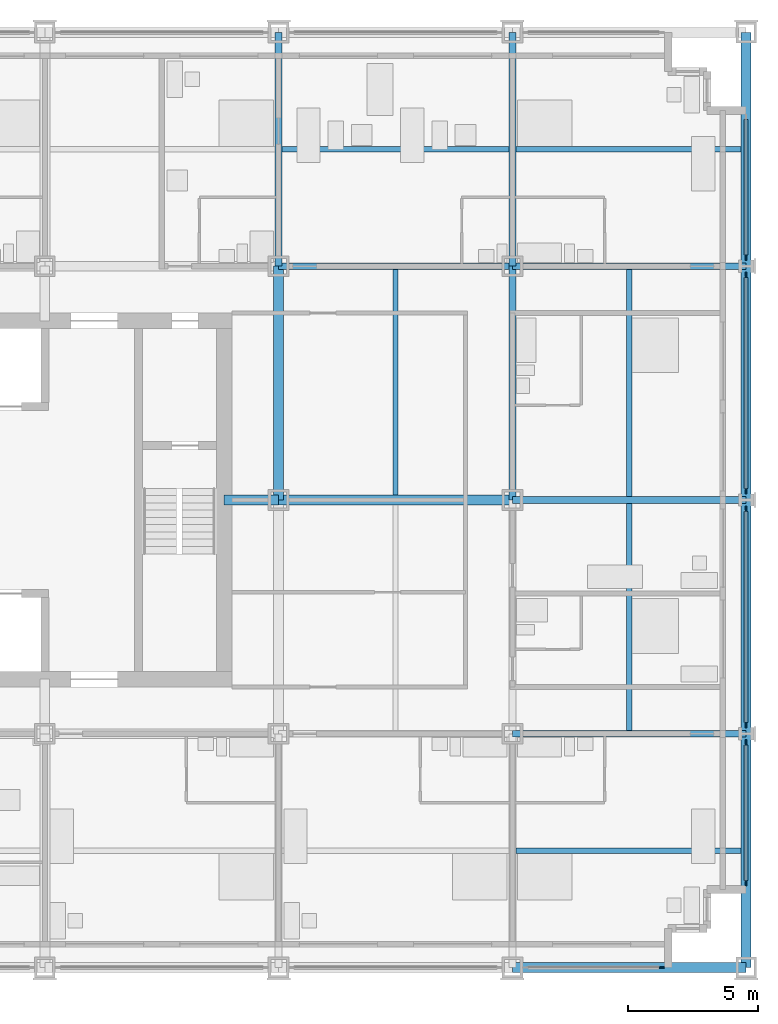
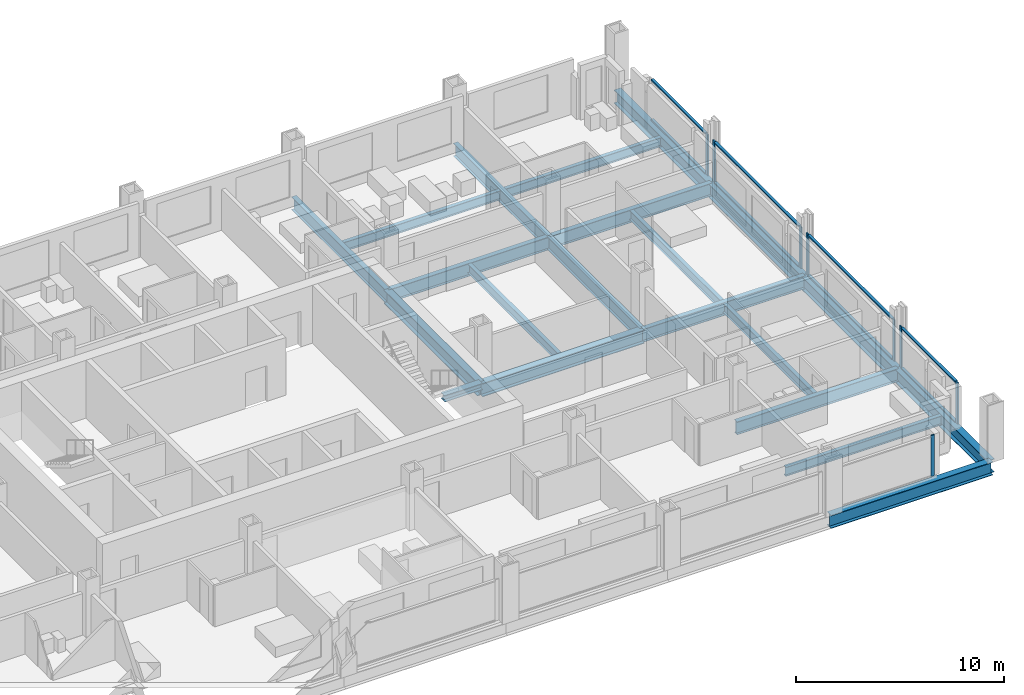
# One storey, part 6 of 18: 20 beams, 17 members, 5 elements without a shape of their own.
"""IFC4 building model written with IfcOpenShell, lengths in metres."""

from ifc_helpers import new_model, si_unit, direction, frame, origin, origin_2d, place, context, subcontext, project, spatial, rectangle, i_section, extrude, material, material_profile, profile_set, type_object, element, aggregate, save


model = new_model("IFC4")

# Units and contexts
model_context = context("Model", 3, precision=1e-05, world=origin(), true_north=direction((0.0, 1.0)))
body_context = subcontext(model_context, "Body", "Model", "MODEL_VIEW")
ifc_project = project(units=[si_unit("LENGTHUNIT", "METRE"), si_unit("AREAUNIT", "SQUARE_METRE"), si_unit("VOLUMEUNIT", "CUBIC_METRE"), si_unit("PLANEANGLEUNIT", "RADIAN"), si_unit("MASSUNIT", "GRAM", prefix="KILO")], contexts=[model_context])

# Site, building, storey
site_placement = place(None, origin())
site = spatial("IfcSite", under=ifc_project, at=site_placement, CompositionType="ELEMENT")
building_placement = place(site_placement, origin())
building = spatial("IfcBuilding", under=site, at=building_placement, Name="Loomwork Tower", CompositionType="ELEMENT")
storey_placement = place(building_placement, frame((0.0, 0.0, 48.39990234375)))
storey = spatial("IfcBuildingStorey", under=building, at=storey_placement, Name="L11", CompositionType="ELEMENT", Elevation=48.39990234375)

# Beams
ifc_material_1 = material(Name="Steel ASTM A992", Category="steel")
ifc_material_profile_1 = material_profile(ifc_material_1, i_section(OverallWidth=0.383544921875, OverallDepth=0.794921875, WebThickness=0.02099609375, FlangeThickness=0.0380859375, at=origin_2d()), Name="W30x235")
ifc_profile_set_1 = profile_set([ifc_material_profile_1], Name="Steel ASTM A992")
beam_type_1 = type_object("IfcBeamType", Name="CORE FLANK GIRDER W30x235", PredefinedType="BEAM", material=ifc_profile_set_1)
for number, where, z_axis, x_axis, name in (
    (1, (36.0, 18.0, -0.597412109375), (1.0, 0.0, 0.0), (0.0, 1.0, 0.0), "Core Flank Girder F/6-F/7 L11"),
    (2, (36.0, 18.0, -0.597412109375), (0.0, 1.0, 0.0), (-1.0, 0.0, 0.0), "Core Flank Girder F/6-G/6 L11"),
):
    element("IfcBeam", number, at=place(storey_placement, frame(where, z_axis=z_axis, x_axis=x_axis)), inside=storey, type_object=beam_type_1, Name=name, PredefinedType="BEAM", context=body_context, shape_type="SweptSolid", body=[
        extrude(i_section(OverallWidth=0.383544921875, OverallDepth=0.794921875, WebThickness=0.02099609375, FlangeThickness=0.0380859375, at=origin_2d()), origin(), (0.0, 0.0, 1.0), 9.0),
    ])

# Member
ifc_material_2 = material(Name="Steel ASTM A992", Category="steel")
ifc_material_profile_2 = material_profile(ifc_material_2, i_section(OverallWidth=0.373291015625, OverallDepth=0.373291015625, WebThickness=0.016357421875, FlangeThickness=0.026123046875, at=origin_2d()), Name="W14x132")
ifc_profile_set_2 = profile_set([ifc_material_profile_2], Name="Steel ASTM A992")
member_type_1 = type_object("IfcMemberType", Name="CORE LINK STRUT W14x132", PredefinedType="STRUT", material=ifc_profile_set_2)
member_1_placement = place(storey_placement, frame((36.0, 18.0, -0.386474609375), z_axis=(-1.0, 0.0, 0.0), x_axis=(0.0, -1.0, 0.0)))
element("IfcMember", 3, at=member_1_placement, inside=storey, type_object=member_type_1, Name="Core link strut F/6-33.900,18.000 L11", PredefinedType="STRUT", context=body_context, shape_type="SweptSolid", body=[
    extrude(i_section(OverallWidth=0.373291015625, OverallDepth=0.373291015625, WebThickness=0.016357421875, FlangeThickness=0.026123046875, at=origin_2d()), origin(), (0.0, 0.0, 1.0), 2.10009765625),
])

# Beams
ifc_material_3 = material(Name="Steel ASTM A992", Category="steel")
ifc_material_profile_3 = material_profile(ifc_material_3, i_section(OverallWidth=0.2666015625, OverallDepth=0.761962890625, WebThickness=0.014404296875, FlangeThickness=0.021484375, at=origin_2d()), Name="W30x116")
ifc_profile_set_3 = profile_set([ifc_material_profile_3], Name="Steel ASTM A992")
beam_type_2 = type_object("IfcBeamType", Name="FLOOR GIRDER W30x116", PredefinedType="BEAM", material=ifc_profile_set_3)
for number, where, z_axis, x_axis, name in (
    (4, (45.0, 9.0, -0.580810546875), (1.0, 0.0, 0.0), (0.0, 1.0, 0.0), "Floor Girder E/7-E/8 L11"),
    (5, (45.0, 18.0, -0.580810546875), (1.0, 0.0, 0.0), (0.0, 1.0, 0.0), "Floor Girder F/7-F/8 L11"),
    (6, (36.0, 27.0, -0.580810546875), (1.0, 0.0, 0.0), (0.0, 1.0, 0.0), "Floor Girder G/6-G/7 L11"),
    (7, (45.0, 27.0, -0.580810546875), (1.0, 0.0, 0.0), (0.0, 1.0, 0.0), "Floor Girder G/7-G/8 L11"),
    (8, (36.0, 27.0, -0.580810546875), (0.0, 1.0, 0.0), (-1.0, 0.0, 0.0), "Floor Girder G/6-H/6 L11"),
    (9, (45.0, 18.0, -0.580810546875), (0.0, 1.0, 0.0), (-1.0, 0.0, 0.0), "Floor Girder F/7-G/7 L11"),
    (10, (45.0, 27.0, -0.580810546875), (0.0, 1.0, 0.0), (-1.0, 0.0, 0.0), "Floor Girder G/7-H/7 L11"),
):
    element("IfcBeam", number, at=place(storey_placement, frame(where, z_axis=z_axis, x_axis=x_axis)), inside=storey, type_object=beam_type_2, Name=name, PredefinedType="BEAM", context=body_context, shape_type="SweptSolid", body=[
        extrude(i_section(OverallWidth=0.2666015625, OverallDepth=0.761962890625, WebThickness=0.014404296875, FlangeThickness=0.021484375, at=origin_2d()), origin(), (0.0, 0.0, 1.0), 9.0),
    ])
ifc_material_4 = material(Name="Steel ASTM A992", Category="steel")
ifc_material_profile_4 = material_profile(ifc_material_4, i_section(OverallWidth=0.2109375, OverallDepth=0.53857421875, WebThickness=0.011474609375, FlangeThickness=0.018798828125, at=origin_2d()), Name="W21x73")
ifc_profile_set_4 = profile_set([ifc_material_profile_4], Name="Steel ASTM A992")
beam_type_3 = type_object("IfcBeamType", Name="FLOOR JOIST W21x73", PredefinedType="JOIST", material=ifc_profile_set_4)
beam_1_placement = place(storey_placement, frame((40.5, 18.19091796875, -0.46923828125), z_axis=(0.0, 1.0, 0.0), x_axis=(-1.0, 0.0, 0.0)))
element("IfcBeam", 11, at=beam_1_placement, inside=storey, type_object=beam_type_3, Name="Floor Joist 40.500,18.000-40.500,27.000 L11", PredefinedType="JOIST", context=body_context, shape_type="SweptSolid", body=[
    extrude(i_section(OverallWidth=0.2109375, OverallDepth=0.53857421875, WebThickness=0.011474609375, FlangeThickness=0.018798828125, at=origin_2d()), origin(), (0.0, 0.0, 1.0), 8.676025390625),
])
beam_2_placement = place(storey_placement, frame((36.133056640625, 31.5, -0.46923828125), z_axis=(1.0, 0.0, 0.0), x_axis=(0.0, 1.0, 0.0)))
element("IfcBeam", 12, at=beam_2_placement, inside=storey, type_object=beam_type_3, Name="Floor Joist 36.000,31.500-45.000,31.500 L11", PredefinedType="JOIST", context=body_context, shape_type="SweptSolid", body=[
    extrude(i_section(OverallWidth=0.2109375, OverallDepth=0.53857421875, WebThickness=0.011474609375, FlangeThickness=0.018798828125, at=origin_2d()), origin(), (0.0, 0.0, 1.0), 8.73388671875),
])
beam_3_placement = place(storey_placement, frame((45.133056640625, 4.5, -0.46923828125), z_axis=(1.0, 0.0, 0.0), x_axis=(0.0, 1.0, 0.0)))
element("IfcBeam", 13, at=beam_3_placement, inside=storey, type_object=beam_type_3, Name="Floor Joist 45.000,4.500-54.000,4.500 L11", PredefinedType="JOIST", context=body_context, shape_type="SweptSolid", body=[
    extrude(i_section(OverallWidth=0.2109375, OverallDepth=0.53857421875, WebThickness=0.011474609375, FlangeThickness=0.018798828125, at=origin_2d()), origin(), (0.0, 0.0, 1.0), 8.677001953125),
])
for number, where, z_axis, x_axis, name in (
    (14, (49.5, 9.133056640625, -0.46923828125), (0.0, 1.0, 0.0), (-1.0, 0.0, 0.0), "Floor Joist 49.500,9.000-49.500,18.000 L11"),
    (15, (49.5, 18.133056640625, -0.46923828125), (0.0, 1.0, 0.0), (-1.0, 0.0, 0.0), "Floor Joist 49.500,18.000-49.500,27.000 L11"),
):
    element("IfcBeam", number, at=place(storey_placement, frame(where, z_axis=z_axis, x_axis=x_axis)), inside=storey, type_object=beam_type_3, Name=name, PredefinedType="JOIST", context=body_context, shape_type="SweptSolid", body=[
        extrude(i_section(OverallWidth=0.2109375, OverallDepth=0.53857421875, WebThickness=0.011474609375, FlangeThickness=0.018798828125, at=origin_2d()), origin(), (0.0, 0.0, 1.0), 8.73388671875),
    ])
beam_4_placement = place(storey_placement, frame((45.133056640625, 31.5, -0.46923828125), z_axis=(1.0, 0.0, 0.0), x_axis=(0.0, 1.0, 0.0)))
element("IfcBeam", 16, at=beam_4_placement, inside=storey, type_object=beam_type_3, Name="Floor Joist 45.000,31.500-54.000,31.500 L11", PredefinedType="JOIST", context=body_context, shape_type="SweptSolid", body=[
    extrude(i_section(OverallWidth=0.2109375, OverallDepth=0.53857421875, WebThickness=0.011474609375, FlangeThickness=0.018798828125, at=origin_2d()), origin(), (0.0, 0.0, 1.0), 8.677001953125),
])

# Curtain wall, member
ifc_material_5 = material(Name="Aluminium curtain wall frame", Category="aluminium")
curtain_wall_type = type_object("IfcCurtainWallType", Name="Outer skin glazing hotel", PredefinedType="NOTDEFINED", material=ifc_material_5)
curtain_wall_1_placement = place(storey_placement, origin())
curtain_wall_1 = element("IfcCurtainWall", 17, at=curtain_wall_1_placement, inside=storey, type_object=curtain_wall_type, Name="Outer skin glazing hotel cw/S-45", PredefinedType="NOTDEFINED")
ifc_material_6 = material(Name="Aluminium curtain wall frame", Category="aluminium")
ifc_material_profile_5 = material_profile(ifc_material_6, rectangle(XDim=0.06494140625, YDim=0.199951171875, at=origin_2d()), Name="AL 65x200")
ifc_profile_set_5 = profile_set([ifc_material_profile_5], Name="Aluminium curtain wall frame")
member_type_2 = type_object("IfcMemberType", Name="Outer skin glazing hotel mullion", PredefinedType="MULLION", material=ifc_profile_set_5)
member_2_placement = place(storey_placement, frame((50.75, 0.0, 0.0), z_axis=(0.0, 0.0, 1.0), x_axis=(0.0, 1.0, 0.0)))
member_2 = element("IfcMember", 18, at=member_2_placement, type_object=member_type_2, Name="CW1 mullion 2", PredefinedType="MULLION", context=body_context, shape_type="SweptSolid", body=[
    extrude(rectangle(XDim=0.06494140625, YDim=0.199951171875, at=origin_2d()), origin(), (0.0, 0.0, 1.0), 2.42041015625),
])
aggregate(curtain_wall_1, [member_2])

# Curtain wall, members
curtain_wall_2_placement = place(storey_placement, origin())
curtain_wall_2 = element("IfcCurtainWall", 19, at=curtain_wall_2_placement, inside=storey, type_object=curtain_wall_type, Name="Outer skin glazing hotel cw/E-0", PredefinedType="NOTDEFINED")
member_3_placement = place(storey_placement, frame((54.0, 3.25, 0.0), z_axis=(0.0, 0.0, 1.0), x_axis=(-1.0, 0.0, 0.0)))
member_3 = element("IfcMember", 20, at=member_3_placement, type_object=member_type_2, Name="CW1 mullion 1", PredefinedType="MULLION", context=body_context, shape_type="SweptSolid", body=[
    extrude(rectangle(XDim=0.06494140625, YDim=0.199951171875, at=origin_2d()), origin(), (0.0, 0.0, 1.0), 2.42041015625),
])
member_4_placement = place(storey_placement, frame((54.0, 8.6611328125, 0.0), z_axis=(0.0, 0.0, 1.0), x_axis=(-1.0, 0.0, 0.0)))
member_4 = element("IfcMember", 21, at=member_4_placement, type_object=member_type_2, Name="CW1 mullion 2", PredefinedType="MULLION", context=body_context, shape_type="SweptSolid", body=[
    extrude(rectangle(XDim=0.06494140625, YDim=0.199951171875, at=origin_2d()), origin(), (0.0, 0.0, 1.0), 2.42041015625),
])

curtain_wall_3_placement = place(storey_placement, origin())
curtain_wall_3 = element("IfcCurtainWall", 22, at=curtain_wall_3_placement, inside=storey, type_object=curtain_wall_type, Name="Outer skin glazing hotel cw/E-9", PredefinedType="NOTDEFINED")
member_5_placement = place(storey_placement, frame((54.0, 9.3388671875, 0.0), z_axis=(0.0, 0.0, 1.0), x_axis=(-1.0, 0.0, 0.0)))
member_5 = element("IfcMember", 23, at=member_5_placement, type_object=member_type_2, Name="CW1 mullion 1", PredefinedType="MULLION", context=body_context, shape_type="SweptSolid", body=[
    extrude(rectangle(XDim=0.06494140625, YDim=0.199951171875, at=origin_2d()), origin(), (0.0, 0.0, 1.0), 2.42041015625),
])
member_6_placement = place(storey_placement, frame((54.0, 17.6611328125, 0.0), z_axis=(0.0, 0.0, 1.0), x_axis=(-1.0, 0.0, 0.0)))
member_6 = element("IfcMember", 24, at=member_6_placement, type_object=member_type_2, Name="CW1 mullion 2", PredefinedType="MULLION", context=body_context, shape_type="SweptSolid", body=[
    extrude(rectangle(XDim=0.06494140625, YDim=0.199951171875, at=origin_2d()), origin(), (0.0, 0.0, 1.0), 2.42041015625),
])

curtain_wall_4_placement = place(storey_placement, origin())
curtain_wall_4 = element("IfcCurtainWall", 25, at=curtain_wall_4_placement, inside=storey, type_object=curtain_wall_type, Name="Outer skin glazing hotel cw/E-18", PredefinedType="NOTDEFINED")
member_7_placement = place(storey_placement, frame((54.0, 18.3388671875, 0.0), z_axis=(0.0, 0.0, 1.0), x_axis=(-1.0, 0.0, 0.0)))
member_7 = element("IfcMember", 26, at=member_7_placement, type_object=member_type_2, Name="CW1 mullion 1", PredefinedType="MULLION", context=body_context, shape_type="SweptSolid", body=[
    extrude(rectangle(XDim=0.06494140625, YDim=0.199951171875, at=origin_2d()), origin(), (0.0, 0.0, 1.0), 2.42041015625),
])
member_8_placement = place(storey_placement, frame((54.0, 26.6611328125, 0.0), z_axis=(0.0, 0.0, 1.0), x_axis=(-1.0, 0.0, 0.0)))
member_8 = element("IfcMember", 27, at=member_8_placement, type_object=member_type_2, Name="CW1 mullion 2", PredefinedType="MULLION", context=body_context, shape_type="SweptSolid", body=[
    extrude(rectangle(XDim=0.06494140625, YDim=0.199951171875, at=origin_2d()), origin(), (0.0, 0.0, 1.0), 2.42041015625),
])

# Curtain wall, member
curtain_wall_5_placement = place(storey_placement, origin())
curtain_wall_5 = element("IfcCurtainWall", 28, at=curtain_wall_5_placement, inside=storey, type_object=curtain_wall_type, Name="Outer skin glazing hotel cw/E-27", PredefinedType="NOTDEFINED")
member_9_placement = place(storey_placement, frame((54.0, 27.3388671875, 0.0), z_axis=(0.0, 0.0, 1.0), x_axis=(-1.0, 0.0, 0.0)))
member_9 = element("IfcMember", 29, at=member_9_placement, type_object=member_type_2, Name="CW1 mullion 1", PredefinedType="MULLION", context=body_context, shape_type="SweptSolid", body=[
    extrude(rectangle(XDim=0.06494140625, YDim=0.199951171875, at=origin_2d()), origin(), (0.0, 0.0, 1.0), 2.42041015625),
])

# Member
ifc_material_7 = material(Name="Aluminium curtain wall frame", Category="aluminium")
ifc_material_profile_6 = material_profile(ifc_material_7, rectangle(XDim=0.14990234375, YDim=0.06494140625, at=origin_2d()), Name="AL 65x150")
ifc_profile_set_6 = profile_set([ifc_material_profile_6], Name="Aluminium curtain wall frame")
member_type_3 = type_object("IfcMemberType", Name="Outer skin glazing hotel transom", PredefinedType="USERDEFINED", material=ifc_profile_set_6)
member_10_placement = place(storey_placement, frame((54.0, 3.35009765625, 0.03271484375), z_axis=(0.0, 1.0, 0.0), x_axis=(-1.0, 0.0, 0.0)))
member_10 = element("IfcMember", 30, at=member_10_placement, type_object=member_type_3, Name="CW1 transom 1.1", ObjectType="TRANSOM", PredefinedType="USERDEFINED", context=body_context, shape_type="SweptSolid", body=[
    extrude(rectangle(XDim=0.14990234375, YDim=0.06494140625, at=origin_2d()), origin(), (0.0, 0.0, 1.0), 5.211181640625),
])

member_11_placement = place(storey_placement, frame((54.0, 3.35009765625, 2.3876953125), z_axis=(0.0, 1.0, 0.0), x_axis=(-1.0, 0.0, 0.0)))
member_11 = element("IfcMember", 31, at=member_11_placement, type_object=member_type_3, Name="CW1 transom 1.2", ObjectType="TRANSOM", PredefinedType="USERDEFINED", context=body_context, shape_type="SweptSolid", body=[
    extrude(rectangle(XDim=0.14990234375, YDim=0.06494140625, at=origin_2d()), origin(), (0.0, 0.0, 1.0), 5.211181640625),
])

aggregate(curtain_wall_2, [member_3, member_4, member_10, member_11])

member_12_placement = place(storey_placement, frame((54.0, 9.438720703125, 0.03271484375), z_axis=(0.0, 1.0, 0.0), x_axis=(-1.0, 0.0, 0.0)))
member_12 = element("IfcMember", 32, at=member_12_placement, type_object=member_type_3, Name="CW1 transom 1.1", ObjectType="TRANSOM", PredefinedType="USERDEFINED", context=body_context, shape_type="SweptSolid", body=[
    extrude(rectangle(XDim=0.14990234375, YDim=0.06494140625, at=origin_2d()), origin(), (0.0, 0.0, 1.0), 8.12255859375),
])

member_13_placement = place(storey_placement, frame((54.0, 9.438720703125, 2.3876953125), z_axis=(0.0, 1.0, 0.0), x_axis=(-1.0, 0.0, 0.0)))
member_13 = element("IfcMember", 33, at=member_13_placement, type_object=member_type_3, Name="CW1 transom 1.2", ObjectType="TRANSOM", PredefinedType="USERDEFINED", context=body_context, shape_type="SweptSolid", body=[
    extrude(rectangle(XDim=0.14990234375, YDim=0.06494140625, at=origin_2d()), origin(), (0.0, 0.0, 1.0), 8.12255859375),
])

aggregate(curtain_wall_3, [member_5, member_6, member_12, member_13])

member_14_placement = place(storey_placement, frame((54.0, 18.438720703125, 0.03271484375), z_axis=(0.0, 1.0, 0.0), x_axis=(-1.0, 0.0, 0.0)))
member_14 = element("IfcMember", 34, at=member_14_placement, type_object=member_type_3, Name="CW1 transom 1.1", ObjectType="TRANSOM", PredefinedType="USERDEFINED", context=body_context, shape_type="SweptSolid", body=[
    extrude(rectangle(XDim=0.14990234375, YDim=0.06494140625, at=origin_2d()), origin(), (0.0, 0.0, 1.0), 8.12255859375),
])

member_15_placement = place(storey_placement, frame((54.0, 18.438720703125, 2.3876953125), z_axis=(0.0, 1.0, 0.0), x_axis=(-1.0, 0.0, 0.0)))
member_15 = element("IfcMember", 35, at=member_15_placement, type_object=member_type_3, Name="CW1 transom 1.2", ObjectType="TRANSOM", PredefinedType="USERDEFINED", context=body_context, shape_type="SweptSolid", body=[
    extrude(rectangle(XDim=0.14990234375, YDim=0.06494140625, at=origin_2d()), origin(), (0.0, 0.0, 1.0), 8.12255859375),
])

aggregate(curtain_wall_4, [member_7, member_8, member_14, member_15])

member_16_placement = place(storey_placement, frame((54.0, 27.438720703125, 0.03271484375), z_axis=(0.0, 1.0, 0.0), x_axis=(-1.0, 0.0, 0.0)))
member_16 = element("IfcMember", 36, at=member_16_placement, type_object=member_type_3, Name="CW1 transom 1.1", ObjectType="TRANSOM", PredefinedType="USERDEFINED", context=body_context, shape_type="SweptSolid", body=[
    extrude(rectangle(XDim=0.14990234375, YDim=0.06494140625, at=origin_2d()), origin(), (0.0, 0.0, 1.0), 5.211181640625),
])

member_17_placement = place(storey_placement, frame((54.0, 27.438720703125, 2.3876953125), z_axis=(0.0, 1.0, 0.0), x_axis=(-1.0, 0.0, 0.0)))
member_17 = element("IfcMember", 37, at=member_17_placement, type_object=member_type_3, Name="CW1 transom 1.2", ObjectType="TRANSOM", PredefinedType="USERDEFINED", context=body_context, shape_type="SweptSolid", body=[
    extrude(rectangle(XDim=0.14990234375, YDim=0.06494140625, at=origin_2d()), origin(), (0.0, 0.0, 1.0), 5.211181640625),
])

aggregate(curtain_wall_5, [member_9, member_16, member_17])

# Beams
ifc_material_8 = material(Name="Steel ASTM A992", Category="steel")
ifc_material_profile_7 = material_profile(ifc_material_8, i_section(OverallWidth=0.381103515625, OverallDepth=0.77978515625, WebThickness=0.01806640625, FlangeThickness=0.0302734375, at=origin_2d()), Name="W30x191")
ifc_profile_set_7 = profile_set([ifc_material_profile_7], Name="Steel ASTM A992")
beam_type_4 = type_object("IfcBeamType", Name="SPANDREL GIRDER W30x191", PredefinedType="SPANDREL", material=ifc_profile_set_7)
for number, where, z_axis, x_axis, name in (
    (38, (45.0, 0.0, -0.58984375), (1.0, 0.0, 0.0), (0.0, 1.0, 0.0), "Spandrel Girder D/7-D/8 L11"),
    (39, (54.0, 0.0, -0.58984375), (0.0, 1.0, 0.0), (-1.0, 0.0, 0.0), "Spandrel Girder D/8-E/8 L11"),
    (40, (54.0, 9.0, -0.58984375), (0.0, 1.0, 0.0), (-1.0, 0.0, 0.0), "Spandrel Girder E/8-F/8 L11"),
    (41, (54.0, 18.0, -0.58984375), (0.0, 1.0, 0.0), (-1.0, 0.0, 0.0), "Spandrel Girder F/8-G/8 L11"),
    (42, (54.0, 27.0, -0.58984375), (0.0, 1.0, 0.0), (-1.0, 0.0, 0.0), "Spandrel Girder G/8-H/8 L11"),
):
    element("IfcBeam", number, at=place(storey_placement, frame(where, z_axis=z_axis, x_axis=x_axis)), inside=storey, type_object=beam_type_4, Name=name, PredefinedType="SPANDREL", context=body_context, shape_type="SweptSolid", body=[
        extrude(i_section(OverallWidth=0.381103515625, OverallDepth=0.77978515625, WebThickness=0.01806640625, FlangeThickness=0.0302734375, at=origin_2d()), origin(), (0.0, 0.0, 1.0), 9.0),
    ])

save(model, "model.ifc")
